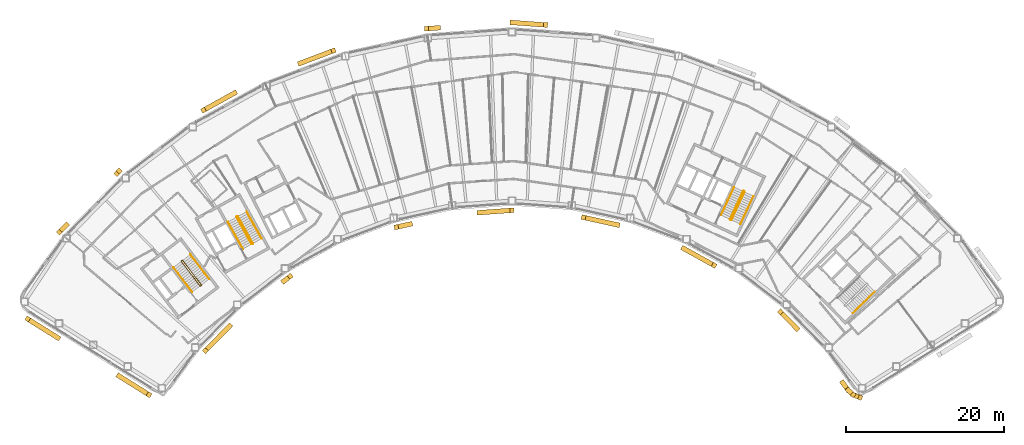
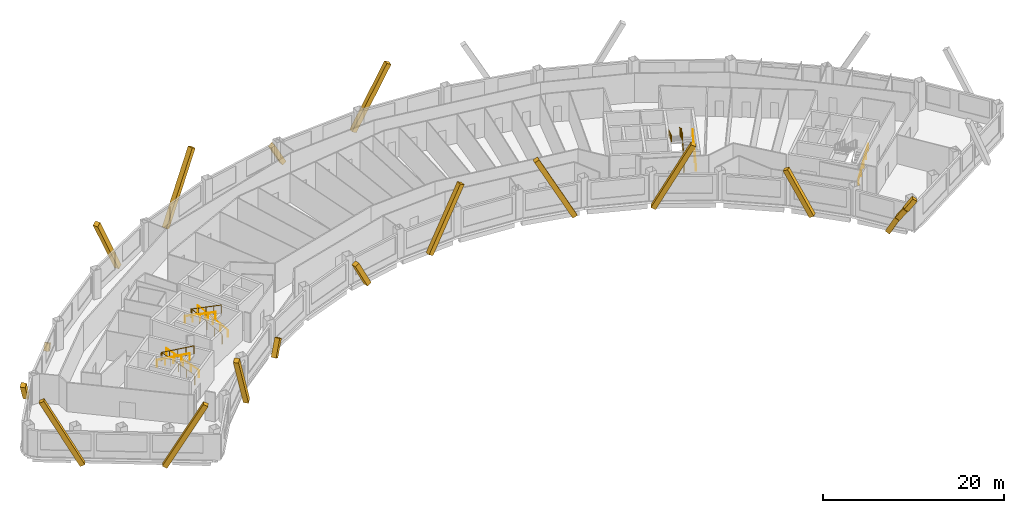
# One storey, part 13 of 14: 18 coverings, 10 railings.
"""IFC4 building model written with IfcOpenShell, lengths in metres."""

from ifc_helpers import new_model, si_unit, direction, frame, origin, origin_2d, place, context, subcontext, project, spatial, rectangle, circle, extrude, material, material_profile, profile_set, type_object, element, save


model = new_model("IFC4")

# Units and contexts
model_context = context("Model", 3, precision=1e-05, world=origin(), true_north=direction((0.0, 1.0)))
body_context = subcontext(model_context, "Body", "Model", "MODEL_VIEW")
ifc_project = project(units=[si_unit("LENGTHUNIT", "METRE"), si_unit("AREAUNIT", "SQUARE_METRE"), si_unit("VOLUMEUNIT", "CUBIC_METRE"), si_unit("PLANEANGLEUNIT", "RADIAN"), si_unit("MASSUNIT", "GRAM", prefix="KILO")], contexts=[model_context])

# Site, building, storey
site_placement = place(None, origin())
site = spatial("IfcSite", under=ifc_project, at=site_placement, CompositionType="ELEMENT")
building_placement = place(site_placement, origin())
building = spatial("IfcBuilding", under=site, at=building_placement, Name="Tuul Gate Civic Tower", CompositionType="ELEMENT")
storey_placement = place(building_placement, frame((0.0, 0.0, 217.89990234375)))
storey = spatial("IfcBuildingStorey", under=building, at=storey_placement, Name="Level 49", CompositionType="ELEMENT", Elevation=217.89990234375)

# Railings
ifc_material_1 = material(Name="Painted steel", Category="steel")
railing_type_1 = type_object("IfcRailingType", Name="Stair guard", PredefinedType="GUARDRAIL", material=ifc_material_1)
railing_1_placement = place(storey_placement, frame((-33.382080078125, -13.515380859375, 0.0)))
element("IfcRailing", 1, at=railing_1_placement, inside=storey, type_object=railing_type_1, Name="Level 49 ST-1 stair guard 1", PredefinedType="GUARDRAIL", context=body_context, shape_type="SweptSolid", body=[
    extrude(circle(Radius=0.02392578125, at=origin_2d()), frame((0.0, 0.0, 1.076171875), z_axis=(-0.795879841968, -0.605454603706, 0.0), x_axis=(0.605454603706, -0.795879841968, 0.0)), (0.0, 0.0, 1.0), 0.10009765625),
    extrude(circle(Radius=0.02392578125, at=origin_2d()), frame((-0.07958984375, -0.060546875, 1.076171875), z_axis=(0.408676696321, 0.599019267211, 0.688592241747), x_axis=(-0.826063974707, 0.563576356576, 0.0)), (0.0, 0.0, 1.0), 0.218017578125),
    extrude(circle(Radius=0.02392578125, at=origin_2d()), frame((0.009521484375, 0.070068359375, 1.22607421875), z_axis=(-0.541824460341, 0.711645023348, 0.447199748346), x_axis=(-0.795637165283, -0.60577347352, 0.0)), (0.0, 0.0, 1.0), 4.3603515625),
    extrude(circle(Radius=0.02392578125, at=origin_2d()), frame((-2.35302734375, 3.173095703125, 3.17626953125), z_axis=(-0.990893089246, 0.134650977284, 0.0), x_axis=(-0.134650977284, -0.990893089246, 0.0)), (0.0, 0.0, 1.0), 0.07080078125),
    extrude(circle(Radius=0.02392578125, at=origin_2d()), frame((-2.423095703125, 3.1826171875, 3.17626953125), z_axis=(-0.793802879778, -0.60817512943, 0.0), x_axis=(0.60817512943, -0.793802879778, 0.0)), (0.0, 0.0, 1.0), 0.099853515625),
    extrude(circle(Radius=0.02392578125, at=origin_2d()), frame((-2.50244140625, 3.121826171875, 3.17626953125), z_axis=(-0.057447065493, -0.422751481959, 0.904423031091), x_axis=(0.990893089246, -0.134650977284, 0.0)), (0.0, 0.0, 1.0), 0.165771484375),
    extrude(circle(Radius=0.02392578125, at=origin_2d()), frame((-2.511962890625, 3.0517578125, 3.326171875), z_axis=(0.541792925989, -0.711621155064, 0.447275929392), x_axis=(0.795644365679, 0.605764016233, 0.0)), (0.0, 0.0, 1.0), 4.360107421875),
    extrude(circle(Radius=0.02099609375, at=origin_2d()), origin(), (0.0, 0.0, 1.0), 1.052001953125),
    extrude(circle(Radius=0.02099609375, at=origin_2d()), frame((-0.07958984375, -0.060546875, 0.0)), (0.0, 0.0, 1.0), 1.052001953125),
    extrude(circle(Radius=0.02099609375, at=origin_2d()), frame((0.009521484375, 0.070068359375, 0.150146484375)), (0.0, 0.0, 1.0), 1.052001953125),
    extrude(circle(Radius=0.02099609375, at=origin_2d()), frame((-0.5810546875, 0.845703125, 0.6376953125)), (0.0, 0.0, 1.0), 1.052001953125),
    extrude(circle(Radius=0.02099609375, at=origin_2d()), frame((-1.171875, 1.62158203125, 1.125)), (0.0, 0.0, 1.0), 1.052001953125),
    extrude(circle(Radius=0.02099609375, at=origin_2d()), frame((-1.762451171875, 2.3974609375, 1.612548828125)), (0.0, 0.0, 1.0), 1.052001953125),
    extrude(circle(Radius=0.02099609375, at=origin_2d()), frame((-2.35302734375, 3.173095703125, 2.10009765625)), (0.0, 0.0, 1.0), 1.052001953125),
    extrude(circle(Radius=0.02099609375, at=origin_2d()), frame((-2.423095703125, 3.1826171875, 2.10009765625)), (0.0, 0.0, 1.0), 1.052001953125),
    extrude(circle(Radius=0.02099609375, at=origin_2d()), frame((-2.50244140625, 3.121826171875, 2.10009765625)), (0.0, 0.0, 1.0), 1.052001953125),
    extrude(circle(Radius=0.02099609375, at=origin_2d()), frame((-2.511962890625, 3.0517578125, 2.25)), (0.0, 0.0, 1.0), 1.052001953125),
    extrude(circle(Radius=0.02099609375, at=origin_2d()), frame((-1.92138671875, 2.276123046875, 2.737548828125)), (0.0, 0.0, 1.0), 1.052001953125),
    extrude(circle(Radius=0.02099609375, at=origin_2d()), frame((-1.330810546875, 1.50048828125, 3.22509765625)), (0.0, 0.0, 1.0), 1.052001953125),
    extrude(circle(Radius=0.02099609375, at=origin_2d()), frame((-0.740234375, 0.724609375, 3.712646484375)), (0.0, 0.0, 1.0), 1.052001953125),
    extrude(circle(Radius=0.02099609375, at=origin_2d()), frame((-0.149658203125, -0.051025390625, 4.2001953125)), (0.0, 0.0, 1.0), 1.052001953125),
])
railing_2_placement = place(storey_placement, frame((-26.857666015625, -8.247314453125, 0.0)))
element("IfcRailing", 2, at=railing_2_placement, inside=storey, type_object=railing_type_1, Name="Level 49 ST-2 stair guard 1", PredefinedType="GUARDRAIL", context=body_context, shape_type="SweptSolid", body=[
    extrude(circle(Radius=0.02392578125, at=origin_2d()), frame((0.0, 0.0, 1.076171875), z_axis=(-0.874616555828, -0.48481530532, 0.0), x_axis=(0.48481530532, -0.874616555828, 0.0)), (0.0, 0.0, 1.0), 0.10009765625),
    extrude(circle(Radius=0.02392578125, at=origin_2d()), frame((-0.087646484375, -0.048583984375, 1.076171875), z_axis=(0.490435707169, 0.534104639999, 0.688625479244), x_axis=(-0.736576986774, 0.676353711126, 0.0)), (0.0, 0.0, 1.0), 0.218017578125),
    extrude(circle(Radius=0.02392578125, at=origin_2d()), frame((0.019287109375, 0.06787109375, 1.22607421875), z_axis=(-0.43354991378, 0.782327185242, 0.447212083348), x_axis=(-0.874667644053, -0.484723129681, 0.0)), (0.0, 0.0, 1.0), 4.3603515625),
    extrude(circle(Radius=0.02392578125, at=origin_2d()), frame((-1.87109375, 3.47900390625, 3.17626953125), z_axis=(-0.961263487578, 0.275631107549, 0.0), x_axis=(-0.275631107549, -0.961263487578, 0.0)), (0.0, 0.0, 1.0), 0.07080078125),
    extrude(circle(Radius=0.02392578125, at=origin_2d()), frame((-1.939208984375, 3.49853515625, 3.17626953125), z_axis=(-0.874042088414, -0.485850211157, 0.0), x_axis=(0.485850211157, -0.874042088414, 0.0)), (0.0, 0.0, 1.0), 0.10009765625),
    extrude(circle(Radius=0.02392578125, at=origin_2d()), frame((-2.026611328125, 3.449951171875, 3.17626953125), z_axis=(-0.117866478395, -0.409586012422, 0.90462522168), x_axis=(0.961000426733, -0.276546885391, 0.0)), (0.0, 0.0, 1.0), 0.165771484375),
    extrude(circle(Radius=0.02392578125, at=origin_2d()), frame((-2.046142578125, 3.382080078125, 3.326171875), z_axis=(0.433584522764, -0.782288604346, 0.447246018574), x_axis=(0.874641102302, 0.484771020343, 0.0)), (0.0, 0.0, 1.0), 4.3603515625),
    extrude(circle(Radius=0.02099609375, at=origin_2d()), origin(), (0.0, 0.0, 1.0), 1.052001953125),
    extrude(circle(Radius=0.02099609375, at=origin_2d()), frame((-0.087646484375, -0.048583984375, 0.0)), (0.0, 0.0, 1.0), 1.052001953125),
    extrude(circle(Radius=0.02099609375, at=origin_2d()), frame((0.019287109375, 0.06787109375, 0.150146484375)), (0.0, 0.0, 1.0), 1.052001953125),
    extrude(circle(Radius=0.02099609375, at=origin_2d()), frame((-0.453369140625, 0.920654296875, 0.6376953125)), (0.0, 0.0, 1.0), 1.052001953125),
    extrude(circle(Radius=0.02099609375, at=origin_2d()), frame((-0.92578125, 1.7734375, 1.125)), (0.0, 0.0, 1.0), 1.052001953125),
    extrude(circle(Radius=0.02099609375, at=origin_2d()), frame((-1.3984375, 2.626220703125, 1.612548828125)), (0.0, 0.0, 1.0), 1.052001953125),
    extrude(circle(Radius=0.02099609375, at=origin_2d()), frame((-1.87109375, 3.47900390625, 2.10009765625)), (0.0, 0.0, 1.0), 1.052001953125),
    extrude(circle(Radius=0.02099609375, at=origin_2d()), frame((-1.939208984375, 3.49853515625, 2.10009765625)), (0.0, 0.0, 1.0), 1.052001953125),
    extrude(circle(Radius=0.02099609375, at=origin_2d()), frame((-2.026611328125, 3.449951171875, 2.10009765625)), (0.0, 0.0, 1.0), 1.052001953125),
    extrude(circle(Radius=0.02099609375, at=origin_2d()), frame((-2.046142578125, 3.382080078125, 2.25)), (0.0, 0.0, 1.0), 1.052001953125),
    extrude(circle(Radius=0.02099609375, at=origin_2d()), frame((-1.573486328125, 2.529296875, 2.737548828125)), (0.0, 0.0, 1.0), 1.052001953125),
    extrude(circle(Radius=0.02099609375, at=origin_2d()), frame((-1.100830078125, 1.676513671875, 3.22509765625)), (0.0, 0.0, 1.0), 1.052001953125),
    extrude(circle(Radius=0.02099609375, at=origin_2d()), frame((-0.628173828125, 0.82373046875, 3.712646484375)), (0.0, 0.0, 1.0), 1.052001953125),
    extrude(circle(Radius=0.02099609375, at=origin_2d()), frame((-0.155517578125, -0.029052734375, 4.2001953125)), (0.0, 0.0, 1.0), 1.052001953125),
])
railing_3_placement = place(storey_placement, frame((33.645751953125, -5.238525390625, 0.0)))
element("IfcRailing", 3, at=railing_3_placement, inside=storey, type_object=railing_type_1, Name="Level 49 ST-4 stair guard 1", PredefinedType="GUARDRAIL", context=body_context, shape_type="SweptSolid", body=[
    extrude(circle(Radius=0.02392578125, at=origin_2d()), frame((0.0, 0.0, 1.076171875), z_axis=(-0.906307919131, 0.422617978463, 0.0), x_axis=(-0.422617978463, -0.906307919131, 0.0)), (0.0, 0.0, 1.0), 0.099853515625),
    extrude(circle(Radius=0.02392578125, at=origin_2d()), frame((-0.090576171875, 0.042236328125, 1.076171875), z_axis=(0.720179819621, -0.082882280952, 0.688818956559), x_axis=(0.114330889033, 0.993442724979, 0.0)), (0.0, 0.0, 1.0), 0.218017578125),
    extrude(circle(Radius=0.02392578125, at=origin_2d()), frame((0.06640625, 0.024169921875, 1.22607421875), z_axis=(0.377946903738, 0.810654114417, 0.447209173356), x_axis=(-0.906336612539, 0.422556439746, 0.0)), (0.0, 0.0, 1.0), 4.3603515625),
    extrude(circle(Radius=0.02392578125, at=origin_2d()), frame((1.71435546875, 3.558837890625, 3.17626953125), z_axis=(-0.342020437038, 0.939692513883, 0.0), x_axis=(-0.939692513883, -0.342020437038, 0.0)), (0.0, 0.0, 1.0), 0.070556640625),
    extrude(circle(Radius=0.02392578125, at=origin_2d()), frame((1.690185546875, 3.625244140625, 3.17626953125), z_axis=(-0.906307919131, 0.422617978463, 0.0), x_axis=(-0.422617978463, -0.906307919131, 0.0)), (0.0, 0.0, 1.0), 0.099853515625),
    extrude(circle(Radius=0.02392578125, at=origin_2d()), frame((1.599609375, 3.66748046875, 3.17626953125), z_axis=(-0.40070210376, -0.145843780413, 0.904526072458), x_axis=(0.342020437038, -0.939692513883, 0.0)), (0.0, 0.0, 1.0), 0.165771484375),
    extrude(circle(Radius=0.02392578125, at=origin_2d()), frame((1.533203125, 3.643310546875, 3.326171875), z_axis=(-0.377937439636, -0.810633814971, 0.447253965602), x_axis=(0.906336612539, -0.422556439746, 0.0)), (0.0, 0.0, 1.0), 4.3603515625),
    extrude(circle(Radius=0.02099609375, at=origin_2d()), origin(), (0.0, 0.0, 1.0), 1.052001953125),
    extrude(circle(Radius=0.02099609375, at=origin_2d()), frame((-0.090576171875, 0.042236328125, 0.0)), (0.0, 0.0, 1.0), 1.052001953125),
    extrude(circle(Radius=0.02099609375, at=origin_2d()), frame((0.06640625, 0.024169921875, 0.150146484375)), (0.0, 0.0, 1.0), 1.052001953125),
    extrude(circle(Radius=0.02099609375, at=origin_2d()), frame((0.478515625, 0.90771484375, 0.6376953125)), (0.0, 0.0, 1.0), 1.052001953125),
    extrude(circle(Radius=0.02099609375, at=origin_2d()), frame((0.890380859375, 1.79150390625, 1.125)), (0.0, 0.0, 1.0), 1.052001953125),
    extrude(circle(Radius=0.02099609375, at=origin_2d()), frame((1.30224609375, 2.67529296875, 1.612548828125)), (0.0, 0.0, 1.0), 1.052001953125),
    extrude(circle(Radius=0.02099609375, at=origin_2d()), frame((1.71435546875, 3.558837890625, 2.10009765625)), (0.0, 0.0, 1.0), 1.052001953125),
    extrude(circle(Radius=0.02099609375, at=origin_2d()), frame((1.690185546875, 3.625244140625, 2.10009765625)), (0.0, 0.0, 1.0), 1.052001953125),
    extrude(circle(Radius=0.02099609375, at=origin_2d()), frame((1.599609375, 3.66748046875, 2.10009765625)), (0.0, 0.0, 1.0), 1.052001953125),
    extrude(circle(Radius=0.02099609375, at=origin_2d()), frame((1.533203125, 3.643310546875, 2.25)), (0.0, 0.0, 1.0), 1.052001953125),
    extrude(circle(Radius=0.02099609375, at=origin_2d()), frame((1.12109375, 2.759765625, 2.737548828125)), (0.0, 0.0, 1.0), 1.052001953125),
    extrude(circle(Radius=0.02099609375, at=origin_2d()), frame((0.709228515625, 1.8759765625, 3.22509765625)), (0.0, 0.0, 1.0), 1.052001953125),
    extrude(circle(Radius=0.02099609375, at=origin_2d()), frame((0.29736328125, 0.9921875, 3.712646484375)), (0.0, 0.0, 1.0), 1.052001953125),
    extrude(circle(Radius=0.02099609375, at=origin_2d()), frame((-0.11474609375, 0.108642578125, 4.2001953125)), (0.0, 0.0, 1.0), 1.052001953125),
])
ifc_material_2 = material(Name="Painted steel", Category="steel")
railing_type_2 = type_object("IfcRailingType", Name="Stair handrail", PredefinedType="HANDRAIL", material=ifc_material_2)
railing_4_placement = place(storey_placement, frame((-32.3779296875, -12.688232421875, 0.150146484375)))
element("IfcRailing", 4, at=railing_4_placement, inside=storey, type_object=railing_type_2, Name="Level 49 ST-1 stair handrail 1", PredefinedType="HANDRAIL", context=body_context, shape_type="SweptSolid", body=[
    extrude(circle(Radius=0.02392578125, at=origin_2d()), frame((0.0, 0.0, 0.8759765625), z_axis=(-0.541824460341, 0.711645023348, 0.447199748346), x_axis=(-0.795637165283, -0.60577347352, 0.0)), (0.0, 0.0, 1.0), 4.3603515625),
    extrude(circle(Radius=0.02099609375, at=origin_2d()), origin(), (0.0, 0.0, 1.0), 0.851806640625),
    extrude(circle(Radius=0.02099609375, at=origin_2d()), frame((-0.590576171875, 0.77587890625, 0.487548828125)), (0.0, 0.0, 1.0), 0.851806640625),
    extrude(circle(Radius=0.02099609375, at=origin_2d()), frame((-1.18115234375, 1.551513671875, 0.97509765625)), (0.0, 0.0, 1.0), 0.851806640625),
    extrude(circle(Radius=0.02099609375, at=origin_2d()), frame((-1.77197265625, 2.3271484375, 1.46240234375)), (0.0, 0.0, 1.0), 0.851806640625),
    extrude(circle(Radius=0.02099609375, at=origin_2d()), frame((-2.362548828125, 3.10302734375, 1.949951171875)), (0.0, 0.0, 1.0), 0.851806640625),
])
railing_5_placement = place(storey_placement, frame((-36.888671875, -11.220703125, 2.25)))
element("IfcRailing", 5, at=railing_5_placement, inside=storey, type_object=railing_type_2, Name="Level 49 ST-1 stair handrail 2", PredefinedType="HANDRAIL", context=body_context, shape_type="SweptSolid", body=[
    extrude(circle(Radius=0.02392578125, at=origin_2d()), frame((0.0, 0.0, 0.8759765625), z_axis=(0.541810893183, -0.711627203922, 0.44724454012), x_axis=(0.795637165283, 0.60577347352, 0.0)), (0.0, 0.0, 1.0), 4.3603515625),
    extrude(circle(Radius=0.02099609375, at=origin_2d()), origin(), (0.0, 0.0, 1.0), 0.851806640625),
    extrude(circle(Radius=0.02099609375, at=origin_2d()), frame((0.590576171875, -0.77587890625, 0.487548828125)), (0.0, 0.0, 1.0), 0.851806640625),
    extrude(circle(Radius=0.02099609375, at=origin_2d()), frame((1.18115234375, -1.551513671875, 0.97509765625)), (0.0, 0.0, 1.0), 0.851806640625),
    extrude(circle(Radius=0.02099609375, at=origin_2d()), frame((1.77197265625, -2.3271484375, 1.462646484375)), (0.0, 0.0, 1.0), 0.851806640625),
    extrude(circle(Radius=0.02099609375, at=origin_2d()), frame((2.362548828125, -3.10302734375, 1.9501953125)), (0.0, 0.0, 1.0), 0.851806640625),
])
railing_6_placement = place(storey_placement, frame((-25.744873046875, -7.573486328125, 0.150146484375)))
element("IfcRailing", 6, at=railing_6_placement, inside=storey, type_object=railing_type_2, Name="Level 49 ST-2 stair handrail 1", PredefinedType="HANDRAIL", context=body_context, shape_type="SweptSolid", body=[
    extrude(circle(Radius=0.02392578125, at=origin_2d()), frame((0.0, 0.0, 0.8759765625), z_axis=(-0.433595379963, 0.782308193291, 0.447201226726), x_axis=(-0.874641102302, -0.484771020343, 0.0)), (0.0, 0.0, 1.0), 4.3603515625),
    extrude(circle(Radius=0.02099609375, at=origin_2d()), origin(), (0.0, 0.0, 1.0), 0.851806640625),
    extrude(circle(Radius=0.02099609375, at=origin_2d()), frame((-0.47265625, 0.852783203125, 0.487548828125)), (0.0, 0.0, 1.0), 0.851806640625),
    extrude(circle(Radius=0.02099609375, at=origin_2d()), frame((-0.9453125, 1.70556640625, 0.97509765625)), (0.0, 0.0, 1.0), 0.851806640625),
    extrude(circle(Radius=0.02099609375, at=origin_2d()), frame((-1.41796875, 2.558349609375, 1.46240234375)), (0.0, 0.0, 1.0), 0.851806640625),
    extrude(circle(Radius=0.02099609375, at=origin_2d()), frame((-1.890625, 3.4111328125, 1.949951171875)), (0.0, 0.0, 1.0), 0.851806640625),
])
railing_7_placement = place(storey_placement, frame((-29.9970703125, -5.47119140625, 2.25)))
element("IfcRailing", 7, at=railing_7_placement, inside=storey, type_object=railing_type_2, Name="Level 49 ST-2 stair handrail 2", PredefinedType="HANDRAIL", context=body_context, shape_type="SweptSolid", body=[
    extrude(circle(Radius=0.02392578125, at=origin_2d()), frame((0.0, 0.0, 0.8759765625), z_axis=(0.433584522764, -0.782288604346, 0.447246018574), x_axis=(0.874641102302, 0.484771020343, 0.0)), (0.0, 0.0, 1.0), 4.3603515625),
    extrude(circle(Radius=0.02099609375, at=origin_2d()), origin(), (0.0, 0.0, 1.0), 0.851806640625),
    extrude(circle(Radius=0.02099609375, at=origin_2d()), frame((0.47265625, -0.852783203125, 0.487548828125)), (0.0, 0.0, 1.0), 0.851806640625),
    extrude(circle(Radius=0.02099609375, at=origin_2d()), frame((0.9453125, -1.70556640625, 0.97509765625)), (0.0, 0.0, 1.0), 0.851806640625),
    extrude(circle(Radius=0.02099609375, at=origin_2d()), frame((1.41796875, -2.558349609375, 1.462646484375)), (0.0, 0.0, 1.0), 0.851806640625),
    extrude(circle(Radius=0.02099609375, at=origin_2d()), frame((1.890625, -3.4111328125, 1.9501953125)), (0.0, 0.0, 1.0), 0.851806640625),
])
railing_8_placement = place(storey_placement, frame((49.05126953125, -17.028076171875, 0.150146484375)))
element("IfcRailing", 8, at=railing_8_placement, inside=storey, type_object=railing_type_2, Name="Level 49 ST-3 stair handrail 1", PredefinedType="HANDRAIL", context=body_context, shape_type="SweptSolid", body=[
    extrude(circle(Radius=0.02392578125, at=origin_2d()), frame((0.0, 0.0, 0.8759765625), z_axis=(0.638753653487, 0.626099522554, 0.447205945863), x_axis=(-0.699997553204, 0.714145241186, 0.0)), (0.0, 0.0, 1.0), 4.3603515625),
    extrude(circle(Radius=0.02099609375, at=origin_2d()), origin(), (0.0, 0.0, 1.0), 0.851806640625),
    extrude(circle(Radius=0.02099609375, at=origin_2d()), frame((0.6962890625, 0.6826171875, 0.487548828125)), (0.0, 0.0, 1.0), 0.851806640625),
    extrude(circle(Radius=0.02099609375, at=origin_2d()), frame((1.392578125, 1.364990234375, 0.97509765625)), (0.0, 0.0, 1.0), 0.851806640625),
    extrude(circle(Radius=0.02099609375, at=origin_2d()), frame((2.0888671875, 2.04736328125, 1.46240234375)), (0.0, 0.0, 1.0), 0.851806640625),
    extrude(circle(Radius=0.02099609375, at=origin_2d()), frame((2.78515625, 2.72998046875, 1.949951171875)), (0.0, 0.0, 1.0), 0.851806640625),
])
railing_9_placement = place(storey_placement, frame((34.844970703125, -5.74267578125, 0.150146484375)))
element("IfcRailing", 9, at=railing_9_placement, inside=storey, type_object=railing_type_2, Name="Level 49 ST-4 stair handrail 1", PredefinedType="HANDRAIL", context=body_context, shape_type="SweptSolid", body=[
    extrude(circle(Radius=0.02392578125, at=origin_2d()), frame((0.0, 0.0, 0.8759765625), z_axis=(0.377994896215, 0.810636958585, 0.447199709091), x_axis=(-0.906312636903, 0.422607861012, 0.0)), (0.0, 0.0, 1.0), 4.3603515625),
    extrude(circle(Radius=0.02099609375, at=origin_2d()), origin(), (0.0, 0.0, 1.0), 0.851806640625),
    extrude(circle(Radius=0.02099609375, at=origin_2d()), frame((0.412109375, 0.8837890625, 0.487548828125)), (0.0, 0.0, 1.0), 0.851806640625),
    extrude(circle(Radius=0.02099609375, at=origin_2d()), frame((0.82421875, 1.767333984375, 0.97509765625)), (0.0, 0.0, 1.0), 0.851806640625),
    extrude(circle(Radius=0.02099609375, at=origin_2d()), frame((1.236083984375, 2.65087890625, 1.46240234375)), (0.0, 0.0, 1.0), 0.851806640625),
    extrude(circle(Radius=0.02099609375, at=origin_2d()), frame((1.648193359375, 3.53466796875, 1.949951171875)), (0.0, 0.0, 1.0), 0.851806640625),
])
railing_10_placement = place(storey_placement, frame((34.046142578125, -1.06689453125, 2.25)))
element("IfcRailing", 10, at=railing_10_placement, inside=storey, type_object=railing_type_2, Name="Level 49 ST-4 stair handrail 2", PredefinedType="HANDRAIL", context=body_context, shape_type="SweptSolid", body=[
    extrude(circle(Radius=0.02392578125, at=origin_2d()), frame((0.0, 0.0, 0.8759765625), z_axis=(-0.377985431313, -0.810616660428, 0.447244500863), x_axis=(0.906312636903, -0.422607861012, 0.0)), (0.0, 0.0, 1.0), 4.3603515625),
    extrude(circle(Radius=0.02099609375, at=origin_2d()), origin(), (0.0, 0.0, 1.0), 0.851806640625),
    extrude(circle(Radius=0.02099609375, at=origin_2d()), frame((-0.412109375, -0.8837890625, 0.487548828125)), (0.0, 0.0, 1.0), 0.851806640625),
    extrude(circle(Radius=0.02099609375, at=origin_2d()), frame((-0.82421875, -1.767333984375, 0.97509765625)), (0.0, 0.0, 1.0), 0.851806640625),
    extrude(circle(Radius=0.02099609375, at=origin_2d()), frame((-1.236083984375, -2.65087890625, 1.462646484375)), (0.0, 0.0, 1.0), 0.851806640625),
    extrude(circle(Radius=0.02099609375, at=origin_2d()), frame((-1.648193359375, -3.53466796875, 1.9501953125)), (0.0, 0.0, 1.0), 0.851806640625),
])

# Coverings
ifc_material_3 = material(Name="Terracotta baguette", Category="masonry")
ifc_material_profile = material_profile(ifc_material_3, rectangle(XDim=0.60009765625, YDim=0.60009765625, at=origin_2d()), Name="Terracotta baguette screen frame")
ifc_profile_set = profile_set([ifc_material_profile], Name="Terracotta baguette")
covering_type = type_object("IfcCoveringType", Name="Terracotta baguette screen frame", PredefinedType="CLADDING", material=ifc_profile_set)
covering_1_placement = place(storey_placement, frame((10.19580078125, 19.460205078125, 8.050048828125), z_axis=(-0.473929597692, 0.034391976886, -0.879890861617), x_axis=(-0.072377369692, -0.99737731895, 0.0)))
element("IfcCovering", 11, at=covering_1_placement, inside=storey, type_object=covering_type, Name="Baguette 69", PredefinedType="CLADDING", context=body_context, shape_type="SweptSolid", body=[
    extrude(rectangle(XDim=0.60009765625, YDim=0.60009765625, at=origin_2d()), origin(), (0.0, 0.0, 1.0), 8.97998046875),
])
covering_2_placement = place(storey_placement, frame((-3.377197265625, 19.09326171875, -0.349853515625), z_axis=(-0.473907258858, -0.034338879026, 0.879904967249), x_axis=(0.072269598768, -0.997385133784, 0.0)))
element("IfcCovering", 12, at=covering_2_placement, inside=storey, type_object=covering_type, Name="Baguette 81", PredefinedType="CLADDING", context=body_context, shape_type="SweptSolid", body=[
    extrude(rectangle(XDim=0.60009765625, YDim=0.60009765625, at=origin_2d()), origin(), (0.0, 0.0, 1.0), 3.177978515625),
])
for number, where, z_axis, x_axis, name in (
    (13, (-16.64697265625, 16.207763671875, 8.050048828125), (-0.444450917783, -0.168046894571, -0.879899780036), (0.353664314999, -0.935372413692, 0.0), "Baguette 93"),
    (14, (-29.1328125, 10.86962890625, -0.349853515625), (-0.415577999567, -0.230370868929, 0.87990010173), (0.48482929666, -0.874608800036, 0.0), "Baguette 102"),
):
    element("IfcCovering", number, at=place(storey_placement, frame(where, z_axis=z_axis, x_axis=x_axis)), inside=storey, type_object=covering_type, Name=name, PredefinedType="CLADDING", context=body_context, shape_type="SweptSolid", body=[
        extrude(rectangle(XDim=0.60009765625, YDim=0.60009765625, at=origin_2d()), origin(), (0.0, 0.0, 1.0), 9.54638671875),
    ])
covering_3_placement = place(storey_placement, frame((-43.753662109375, 0.976806640625, 0.479248046875), z_axis=(-0.332434684662, -0.339430582156, -0.87992844046), x_axis=(0.714430906799, -0.69970599498, 0.0)))
element("IfcCovering", 15, at=covering_3_placement, inside=storey, type_object=covering_type, Name="Baguette 112", PredefinedType="CLADDING", context=body_context, shape_type="SweptSolid", body=[
    extrude(rectangle(XDim=0.60009765625, YDim=0.60009765625, at=origin_2d()), origin(), (0.0, 0.0, 1.0), 0.942138671875),
])
covering_4_placement = place(storey_placement, frame((-50.41748046875, -5.822021484375, -0.349853515625), z_axis=(-0.332679935441, -0.339302165691, 0.879885277131), x_axis=(0.714040485418, -0.700104410202, 0.0)))
element("IfcCovering", 16, at=covering_4_placement, inside=storey, type_object=covering_type, Name="Baguette 123", PredefinedType="CLADDING", context=body_context, shape_type="SweptSolid", body=[
    extrude(rectangle(XDim=0.60009765625, YDim=0.60009765625, at=origin_2d()), origin(), (0.0, 0.0, 1.0), 2.8017578125),
])
covering_5_placement = place(storey_placement, frame((-55.344482421875, -17.74560546875, 8.050048828125), z_axis=(0.402314470661, -0.251382579131, -0.8803123682), x_axis=(0.529901976461, 0.848058898511, 0.0)))
element("IfcCovering", 17, at=covering_5_placement, inside=storey, type_object=covering_type, Name="Baguette 147", PredefinedType="CLADDING", context=body_context, shape_type="SweptSolid", body=[
    extrude(rectangle(XDim=0.60009765625, YDim=0.60009765625, at=origin_2d()), origin(), (0.0, 0.0, 1.0), 9.5419921875),
])
covering_6_placement = place(storey_placement, frame((-43.828125, -24.941650390625, -0.349853515625), z_axis=(0.402293025591, -0.251385166726, 0.880321429656), x_axis=(0.529926214669, 0.848043753002, 0.0)))
element("IfcCovering", 18, at=covering_6_placement, inside=storey, type_object=covering_type, Name="Baguette 154", PredefinedType="CLADDING", context=body_context, shape_type="SweptSolid", body=[
    extrude(rectangle(XDim=0.60009765625, YDim=0.60009765625, at=origin_2d()), origin(), (0.0, 0.0, 1.0), 9.541748046875),
])
covering_7_placement = place(storey_placement, frame((-32.8662109375, -21.772705078125, 8.050048828125), z_axis=(0.326353529011, 0.332884713723, -0.884692681936), x_axis=(-0.714077164411, 0.700066999127, 0.0)))
element("IfcCovering", 19, at=covering_7_placement, inside=storey, type_object=covering_type, Name="Baguette 178", PredefinedType="CLADDING", context=body_context, shape_type="SweptSolid", body=[
    extrude(rectangle(XDim=0.60009765625, YDim=0.60009765625, at=origin_2d()), origin(), (0.0, 0.0, 1.0), 9.49462890625),
])
covering_8_placement = place(storey_placement, frame((-22.96240234375, -12.98046875, -0.349853515625), z_axis=(0.37083200734, 0.282414534002, 0.884717838249), x_axis=(-0.605874698824, 0.795560085302, 0.0)))
element("IfcCovering", 20, at=covering_8_placement, inside=storey, type_object=covering_type, Name="Baguette 188", PredefinedType="CLADDING", context=body_context, shape_type="SweptSolid", body=[
    extrude(rectangle(XDim=0.60009765625, YDim=0.60009765625, at=origin_2d()), origin(), (0.0, 0.0, 1.0), 2.24755859375),
])
covering_9_placement = place(storey_placement, frame((-8.702392578125, -6.125732421875, 3.1044921875), z_axis=(0.455205755049, 0.100357862205, -0.884712393981), x_axis=(-0.215296786561, 0.976548664275, 0.0)))
element("IfcCovering", 21, at=covering_9_placement, inside=storey, type_object=covering_type, Name="Baguette 201", PredefinedType="CLADDING", context=body_context, shape_type="SweptSolid", body=[
    extrude(rectangle(XDim=0.60009765625, YDim=0.60009765625, at=origin_2d()), origin(), (0.0, 0.0, 1.0), 3.904541015625),
])
covering_10_placement = place(storey_placement, frame((1.787109375, -4.294189453125, -0.349853515625), z_axis=(0.464942310954, 0.033620167106, 0.884702397334), x_axis=(-0.072122095663, 0.997395810758, 0.0)))
element("IfcCovering", 22, at=covering_10_placement, inside=storey, type_object=covering_type, Name="Baguette 214", PredefinedType="CLADDING", context=body_context, shape_type="SweptSolid", body=[
    extrude(rectangle(XDim=0.60009765625, YDim=0.60009765625, at=origin_2d()), origin(), (0.0, 0.0, 1.0), 8.931884765625),
])
for number, where, z_axis, x_axis, name in (
    (23, (14.9951171875, -4.894287109375, 8.050048828125), (0.455233015253, -0.100334343963, -0.884701034952), (0.215236378617, 0.976561980276, 0.0), "Baguette 226"),
    (24, (27.64208984375, -8.81640625, -0.349853515625), (0.407714066256, -0.225996400626, 0.884700439178), (0.484804374507, 0.87462261488, 0.0), "Baguette 237"),
):
    element("IfcCovering", number, at=place(storey_placement, frame(where, z_axis=z_axis, x_axis=x_axis)), inside=storey, type_object=covering_type, Name=name, PredefinedType="CLADDING", context=body_context, shape_type="SweptSolid", body=[
        extrude(rectangle(XDim=0.60009765625, YDim=0.60009765625, at=origin_2d()), origin(), (0.0, 0.0, 1.0), 9.49462890625),
    ])
covering_11_placement = place(storey_placement, frame((39.910400390625, -16.83984375, 5.355712890625), z_axis=(0.3263195626, -0.332906523609, -0.884697004405), x_axis=(0.714136515661, 0.700006454969, 0.0)))
element("IfcCovering", 25, at=covering_11_placement, inside=storey, type_object=covering_type, Name="Baguette 247", PredefinedType="CLADDING", context=body_context, shape_type="SweptSolid", body=[
    extrude(rectangle(XDim=0.60009765625, YDim=0.60009765625, at=origin_2d()), origin(), (0.0, 0.0, 1.0), 6.44921875),
])
covering_12_placement = place(storey_placement, frame((47.767822265625, -25.785888671875, -0.349853515625), z_axis=(0.278694603612, -0.381629545147, 0.881299159303), x_axis=(0.807581128041, 0.589756493505, 0.0)))
element("IfcCovering", 26, at=covering_12_placement, inside=storey, type_object=covering_type, Name="Baguette 264", PredefinedType="CLADDING", context=body_context, shape_type="SweptSolid", body=[
    extrude(rectangle(XDim=0.60009765625, YDim=0.60009765625, at=origin_2d()), origin(), (0.0, 0.0, 1.0), 2.440673828125),
])
covering_13_placement = place(storey_placement, frame((48.447998046875, -26.71728515625, 1.801025390625), z_axis=(0.418387257924, -0.391850083924, 0.819393442819), x_axis=(0.683580829185, 0.729874818013, 0.0)))
element("IfcCovering", 27, at=covering_13_placement, inside=storey, type_object=covering_type, Name="Baguette 265", PredefinedType="CLADDING", context=body_context, shape_type="SweptSolid", body=[
    extrude(rectangle(XDim=0.60009765625, YDim=0.60009765625, at=origin_2d()), origin(), (0.0, 0.0, 1.0), 1.5732421875),
])
covering_14_placement = place(storey_placement, frame((49.106201171875, -27.333740234375, 3.090087890625), z_axis=(0.560273068104, -0.222354592363, 0.79790508484), x_axis=(0.368879932634, 0.929477054746, 0.0)))
element("IfcCovering", 28, at=covering_14_placement, inside=storey, type_object=covering_type, Name="Baguette 266", PredefinedType="CLADDING", context=body_context, shape_type="SweptSolid", body=[
    extrude(rectangle(XDim=0.60009765625, YDim=0.60009765625, at=origin_2d()), origin(), (0.0, 0.0, 1.0), 1.614013671875),
])

save(model, "model.ifc")
